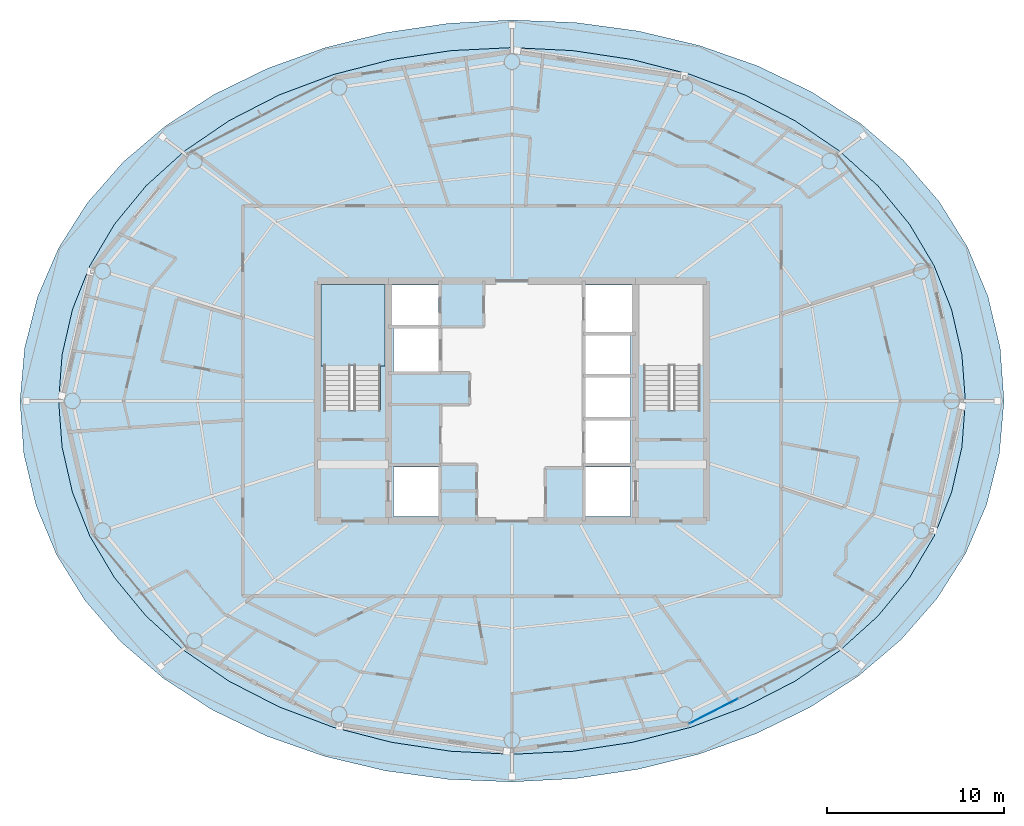
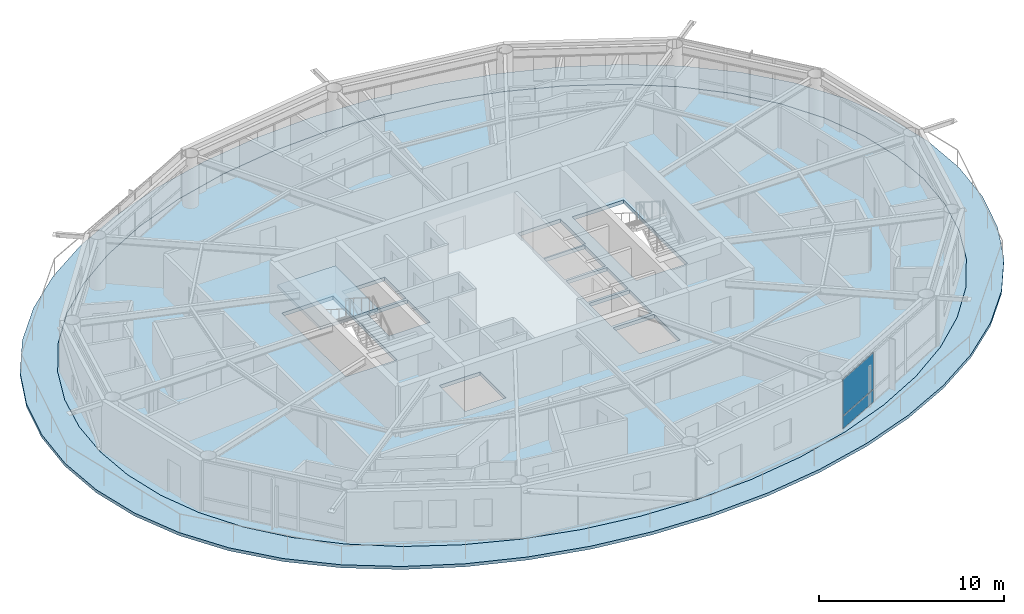
# One storey, part 13 of 23: 3 slabs, 2 plates, 2 elements without a shape of their own.
"""IFC4 building model written with IfcOpenShell, lengths in metres."""

from ifc_helpers import new_model, si_unit, direction, frame, origin, origin_2d, place, context, subcontext, project, spatial, polyline, rectangle, outline, extrude, material, layer, layer_set, type_object, element, aggregate, save


model = new_model("IFC4")

# Units and contexts
model_context = context("Model", 3, precision=1e-05, world=origin(), true_north=direction((0.0, 1.0)))
body_context = subcontext(model_context, "Body", "Model", "MODEL_VIEW")
ifc_project = project(units=[si_unit("LENGTHUNIT", "METRE"), si_unit("AREAUNIT", "SQUARE_METRE"), si_unit("VOLUMEUNIT", "CUBIC_METRE"), si_unit("PLANEANGLEUNIT", "RADIAN"), si_unit("MASSUNIT", "GRAM", prefix="KILO")], contexts=[model_context])

# Site, building, storey
site_placement = place(None, origin())
site = spatial("IfcSite", under=ifc_project, at=site_placement, CompositionType="ELEMENT")
building_placement = place(site_placement, origin())
building = spatial("IfcBuilding", under=site, at=building_placement, Name="Sarneth Arch Tower", CompositionType="ELEMENT")
storey_placement = place(building_placement, frame((0.0, 0.0, 224.39990234375)))
storey = spatial("IfcBuildingStorey", under=building, at=storey_placement, Name="L57", CompositionType="ELEMENT", Elevation=224.39990234375)

# Curtain wall, plates
ifc_material_1 = material(Name="Anodised aluminium Type AA25 and solar-control low-e laminated IGU", Category="aluminium")
ifc_layer_1 = layer(ifc_material_1, 0.179931640625)
ifc_layer_set_1 = layer_set([ifc_layer_1], Name="Anodised aluminium Type AA25 and solar-control low-e laminated IGU")
curtain_wall_type = type_object("IfcCurtainWallType", Name="CW-RES-HIGH", PredefinedType="NOTDEFINED", material=ifc_layer_set_1)
curtain_wall_placement = place(storey_placement, origin())
curtain_wall = element("IfcCurtainWall", 1, at=curtain_wall_placement, inside=storey, type_object=curtain_wall_type, Name="L57 Unitised curtain wall facet 14", PredefinedType="NOTDEFINED")
ifc_material_2 = material(Name="Solar-control low-e laminated IGU", Category="glass")
ifc_layer_2 = layer(ifc_material_2, 0.028076171875)
ifc_layer_set_2 = layer_set([ifc_layer_2], Name="Solar-control low-e laminated IGU")
plate_type = type_object("IfcPlateType", Name="CW-PANEL", PredefinedType="CURTAIN_PANEL", material=ifc_layer_set_2)
plate_1_placement = place(storey_placement, frame((59.4208984375, 24.447021484375, 0.06005859375), z_axis=(0.0, 0.0, 1.0), x_axis=(0.890009540525, 0.455941901753, 0.0)))
plate_1 = element("IfcPlate", 2, at=plate_1_placement, type_object=plate_type, Name="Curtain wall glazed vision pane CW-L57-F14/P00-00", PredefinedType="CURTAIN_PANEL", context=body_context, shape_type="SweptSolid", body=[
    extrude(rectangle(XDim=3.044677734375, YDim=0.028076171875, at=origin_2d()), origin(), (0.0, 0.0, 1.0), 0.81005859375),
])
plate_2_placement = place(storey_placement, frame((59.4208984375, 24.447021484375, 0.929931640625), z_axis=(0.0, 0.0, 1.0), x_axis=(0.890009540525, 0.455941901753, 0.0)))
plate_2 = element("IfcPlate", 3, at=plate_2_placement, type_object=plate_type, Name="Curtain wall glazed vision pane CW-L57-F14/P00-01", PredefinedType="CURTAIN_PANEL", context=body_context, shape_type="SweptSolid", body=[
    extrude(rectangle(XDim=3.044677734375, YDim=0.028076171875, at=origin_2d()), origin(), (0.0, 0.0, 1.0), 2.3701171875),
])
aggregate(curtain_wall, [plate_1, plate_2])

# Slab
ifc_material_3 = material(Name="Concrete C50/60", Category="concrete")
ifc_layer_3 = layer(ifc_material_3, 0.199951171875)
ifc_layer_set_3 = layer_set([ifc_layer_3], Name="Concrete C50/60")
slab_type_1 = type_object("IfcSlabType", Name="SLAB-BALC-200", PredefinedType="FLOOR", material=ifc_layer_set_3)
slab_1_placement = place(storey_placement, frame((0.0, 0.0, -0.199951171875)))
element("IfcSlab", 4, at=slab_1_placement, inside=storey, type_object=slab_type_1, Name="L57 Helical balcony band slab", PredefinedType="FLOOR", context=body_context, shape_type="SweptSolid", body=[
    extrude(outline(polyline([(75.84814453125, 42.0), (75.631591796875, 44.997314453125), (74.93798828125, 47.9228515625), (73.7783203125, 50.7060546875), (72.17041015625, 53.291015625), (70.138916015625, 55.63671875), (67.718017578125, 57.712158203125), (64.951904296875, 59.49462890625), (61.895751953125, 60.966796875), (58.610595703125, 62.1162109375), (55.159912109375, 62.934814453125), (51.604248046875, 63.41748046875), (48.0, 63.5625), (44.400390625, 63.371337890625), (40.85791015625, 62.846923828125), (37.42724609375, 61.995361328125), (34.166259765625, 60.82470703125), (31.134765625, 59.3447265625), (28.3896484375, 57.56884765625), (25.98193359375, 55.5126953125), (23.952392578125, 53.196044921875), (22.332275390625, 50.644287109375), (21.146240234375, 47.892333984375), (20.413818359375, 44.9892578125), (20.15185546875, 42.0), (20.368408203125, 39.002685546875), (21.06201171875, 36.0771484375), (22.2216796875, 33.2939453125), (23.82958984375, 30.708984375), (25.861083984375, 28.36328125), (28.281982421875, 26.287841796875), (31.048095703125, 24.50537109375), (34.104248046875, 23.033203125), (37.389404296875, 21.8837890625), (40.840087890625, 21.065185546875), (44.395751953125, 20.58251953125), (48.0, 20.4375), (51.599609375, 20.628662109375), (55.14208984375, 21.153076171875), (58.57275390625, 22.004638671875), (61.833740234375, 23.17529296875), (64.865234375, 24.6552734375), (67.6103515625, 26.43115234375), (70.01806640625, 28.4873046875), (72.047607421875, 30.803955078125), (73.667724609375, 33.355712890625), (74.853759765625, 36.107666015625), (75.586181640625, 39.0107421875), (75.84814453125, 42.0)]), holes=[polyline([(73.660888671875, 42.0), (73.466064453125, 44.610595703125), (72.87890625, 47.17626953125), (71.892822265625, 49.653564453125), (70.5029296875, 52.0), (68.712158203125, 54.17529296875), (66.536865234375, 56.14208984375), (64.009521484375, 57.8671875), (61.177001953125, 59.320556640625), (58.0966796875, 60.4775390625), (54.83203125, 61.318603515625), (51.44580078125, 61.828857421875), (48.0, 62.0), (44.55419921875, 61.828857421875), (41.16796875, 61.318603515625), (37.9033203125, 60.4775390625), (34.822998046875, 59.320556640625), (31.990478515625, 57.8671875), (29.463134765625, 56.14208984375), (27.287841796875, 54.17529296875), (25.4970703125, 52.0), (24.107177734375, 49.653564453125), (23.12109375, 47.17626953125), (22.533935546875, 44.610595703125), (22.339111328125, 42.0), (22.533935546875, 39.389404296875), (23.12109375, 36.82373046875), (24.107177734375, 34.346435546875), (25.4970703125, 32.0), (27.287841796875, 29.82470703125), (29.463134765625, 27.85791015625), (31.990478515625, 26.1328125), (34.822998046875, 24.679443359375), (37.9033203125, 23.5224609375), (41.16796875, 22.681396484375), (44.55419921875, 22.171142578125), (48.0, 22.0), (51.44580078125, 22.171142578125), (54.83203125, 22.681396484375), (58.0966796875, 23.5224609375), (61.177001953125, 24.679443359375), (64.009521484375, 26.1328125), (66.536865234375, 27.85791015625), (68.712158203125, 29.82470703125), (70.5029296875, 32.0), (71.892822265625, 34.346435546875), (72.87890625, 36.82373046875), (73.466064453125, 39.389404296875), (73.660888671875, 42.0)])]), origin(), (0.0, 0.0, 1.0), 0.199951171875),
])

# Stair, slab
ifc_material_4 = material(Name="Concrete C50/60", Category="concrete")
stair_type = type_object("IfcStairType", Name="STAIR-CORE-RC", PredefinedType="HALF_TURN_STAIR", material=ifc_material_4)
stair_placement = place(storey_placement, origin())
stair = element("IfcStair", 5, at=stair_placement, inside=storey, type_object=stair_type, Name="L57 Core Exit Stair 1", PredefinedType="HALF_TURN_STAIR")
ifc_material_5 = material(Name="Concrete C50/60", Category="concrete")
ifc_layer_4 = layer(ifc_material_5, 0.199951171875)
ifc_layer_set_4 = layer_set([ifc_layer_4], Name="Concrete C50/60")
slab_type_2 = type_object("IfcSlabType", Name="SLAB-LANDING-200", PredefinedType="LANDING", material=ifc_layer_set_4)
slab_2_placement = place(storey_placement, frame((0.0, 0.0, 1.60009765625)))
slab_2 = element("IfcSlab", 6, at=slab_2_placement, type_object=slab_type_2, Name="ST-1 landing 1", PredefinedType="LANDING", context=body_context, shape_type="SweptSolid", body=[
    extrude(outline(polyline([(37.199951171875, 43.985107421875), (40.800048828125, 43.985107421875), (40.800048828125, 48.60009765625), (37.199951171875, 48.60009765625), (37.199951171875, 43.985107421875)])), origin(), (0.0, 0.0, 1.0), 0.199951171875),
])
aggregate(stair, [slab_2])

# Slab
ifc_material_6 = material(Name="Concrete C50/60", Category="concrete")
ifc_layer_5 = layer(ifc_material_6, 0.239990234375)
ifc_layer_set_5 = layer_set([ifc_layer_5], Name="Concrete C50/60")
slab_type_3 = type_object("IfcSlabType", Name="SLAB-TOWER-240", PredefinedType="FLOOR", material=ifc_layer_set_5)
slab_3_placement = place(storey_placement, frame((0.0, 0.0, -0.239990234375)))
element("IfcSlab", 7, at=slab_3_placement, inside=storey, type_object=slab_type_3, Name="L57 Elliptical floor slab", PredefinedType="FLOOR", context=body_context, shape_type="SweptSolid", body=[
    extrude(outline(polyline([(73.660888671875, 42.0), (73.466064453125, 44.610595703125), (72.87890625, 47.17626953125), (71.892822265625, 49.653564453125), (70.5029296875, 52.0), (68.712158203125, 54.17529296875), (66.536865234375, 56.14208984375), (64.009521484375, 57.8671875), (61.177001953125, 59.320556640625), (58.0966796875, 60.4775390625), (54.83203125, 61.318603515625), (51.44580078125, 61.828857421875), (48.0, 62.0), (44.55419921875, 61.828857421875), (41.16796875, 61.318603515625), (37.9033203125, 60.4775390625), (34.822998046875, 59.320556640625), (31.990478515625, 57.8671875), (29.463134765625, 56.14208984375), (27.287841796875, 54.17529296875), (25.4970703125, 52.0), (24.107177734375, 49.653564453125), (23.12109375, 47.17626953125), (22.533935546875, 44.610595703125), (22.339111328125, 42.0), (22.533935546875, 39.389404296875), (23.12109375, 36.82373046875), (24.107177734375, 34.346435546875), (25.4970703125, 32.0), (27.287841796875, 29.82470703125), (29.463134765625, 27.85791015625), (31.990478515625, 26.1328125), (34.822998046875, 24.679443359375), (37.9033203125, 23.5224609375), (41.16796875, 22.681396484375), (44.55419921875, 22.171142578125), (48.0, 22.0), (51.44580078125, 22.171142578125), (54.83203125, 22.681396484375), (58.0966796875, 23.5224609375), (61.177001953125, 24.679443359375), (64.009521484375, 26.1328125), (66.536865234375, 27.85791015625), (68.712158203125, 29.82470703125), (70.5029296875, 32.0), (71.892822265625, 34.346435546875), (72.87890625, 36.82373046875), (73.466064453125, 39.389404296875), (73.660888671875, 42.0)]), holes=[polyline([(37.35009765625, 41.489990234375), (40.550048828125, 41.489990234375), (40.550048828125, 48.39990234375), (37.35009765625, 48.39990234375), (37.35009765625, 41.489990234375)]), polyline([(55.449951171875, 41.489990234375), (58.64990234375, 41.489990234375), (58.64990234375, 48.39990234375), (55.449951171875, 48.39990234375), (55.449951171875, 41.489990234375)]), polyline([(41.199951171875, 46.25), (43.85009765625, 46.25), (43.85009765625, 48.550048828125), (41.199951171875, 48.550048828125), (41.199951171875, 46.25)]), polyline([(41.300048828125, 35.449951171875), (43.85009765625, 35.449951171875), (43.85009765625, 38.25), (41.300048828125, 38.25), (41.300048828125, 35.449951171875)]), polyline([(52.14990234375, 35.449951171875), (54.699951171875, 35.449951171875), (54.699951171875, 38.25), (52.14990234375, 38.25), (52.14990234375, 35.449951171875)]), polyline([(52.14990234375, 45.85009765625), (54.800048828125, 45.85009765625), (54.800048828125, 48.550048828125), (52.14990234375, 48.550048828125), (52.14990234375, 45.85009765625)]), polyline([(41.300048828125, 43.64990234375), (43.85009765625, 43.64990234375), (43.85009765625, 46.10009765625), (41.300048828125, 46.10009765625), (41.300048828125, 43.64990234375)]), polyline([(52.14990234375, 38.449951171875), (54.699951171875, 38.449951171875), (54.699951171875, 40.89990234375), (52.14990234375, 40.89990234375), (52.14990234375, 38.449951171875)]), polyline([(52.14990234375, 41.050048828125), (54.699951171875, 41.050048828125), (54.699951171875, 43.35009765625), (52.14990234375, 43.35009765625), (52.14990234375, 41.050048828125)]), polyline([(52.14990234375, 43.5), (54.699951171875, 43.5), (54.699951171875, 45.75), (52.14990234375, 45.75), (52.14990234375, 43.5)])]), origin(), (0.0, 0.0, 1.0), 0.239990234375),
])

save(model, "model.ifc")
